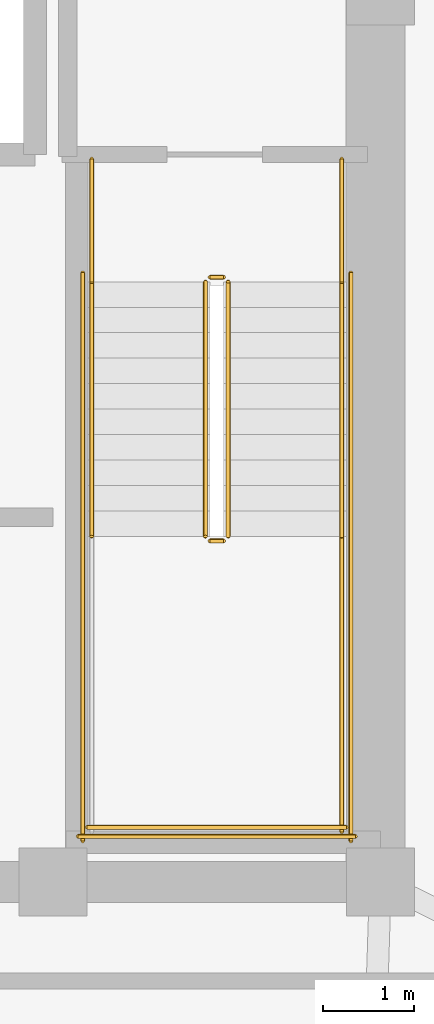
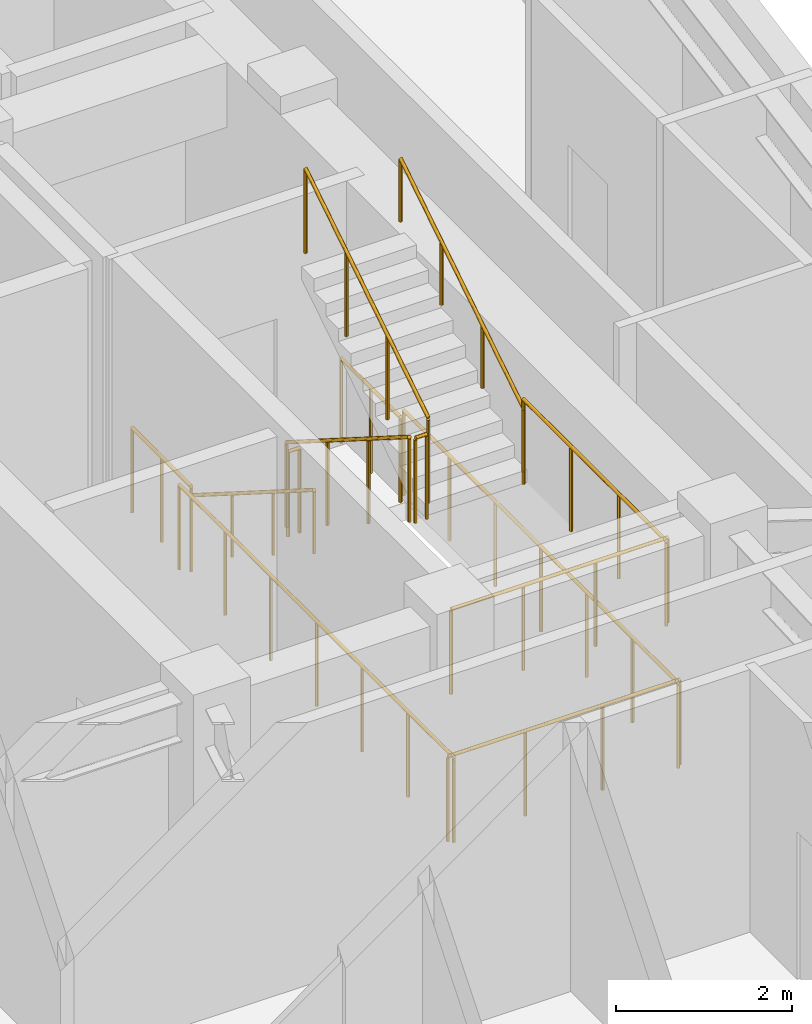
# One storey, part 11 of 11: 13 railings.
"""IFC4 building model written with IfcOpenShell, lengths in metres."""

from ifc_helpers import new_model, si_unit, direction, frame, origin, origin_2d, place, context, subcontext, project, spatial, circle, extrude, material, type_object, element, save


model = new_model("IFC4")

# Units and contexts
model_context = context("Model", 3, precision=1e-05, world=origin(), true_north=direction((0.0, 1.0)))
body_context = subcontext(model_context, "Body", "Model", "MODEL_VIEW")
ifc_project = project(units=[si_unit("LENGTHUNIT", "METRE"), si_unit("AREAUNIT", "SQUARE_METRE"), si_unit("VOLUMEUNIT", "CUBIC_METRE"), si_unit("PLANEANGLEUNIT", "RADIAN"), si_unit("MASSUNIT", "GRAM", prefix="KILO")], contexts=[model_context])

# Site, building, storey
site_placement = place(None, origin())
site = spatial("IfcSite", under=ifc_project, at=site_placement, CompositionType="ELEMENT")
building_placement = place(site_placement, origin())
building = spatial("IfcBuilding", under=site, at=building_placement, Name="Voryun Gate Residences", CompositionType="ELEMENT")
storey_placement = place(building_placement, frame((0.0, 0.0, 271.699951171875)))
storey = spatial("IfcBuildingStorey", under=building, at=storey_placement, Name="L67", CompositionType="ELEMENT", Elevation=271.699951171875)

# Railings
ifc_material_1 = material(Name="Painted steel", Category="steel")
railing_type_1 = type_object("IfcRailingType", Name="RAIL_STAIR_GUARD_1200", PredefinedType="GUARDRAIL", material=ifc_material_1)
railing_1_placement = place(storey_placement, frame((17.27490234375, -0.800048828125, 0.17724609375)))
element("IfcRailing", 1, at=railing_1_placement, inside=storey, type_object=railing_type_1, Name="L67 ST-E1 stair guard 1", PredefinedType="GUARDRAIL", context=body_context, shape_type="SweptSolid", body=[
    extrude(circle(Radius=0.02392578125, at=origin_2d()), frame((0.0, 0.0, 1.17578125), z_axis=(0.0, -0.844908973607, 0.534910110503), x_axis=(1.0, 0.0, 0.0)), (0.0, 0.0, 1.0), 3.31396484375),
    extrude(circle(Radius=0.02099609375, at=origin_2d()), origin(), (0.0, 0.0, 1.0), 1.15185546875),
    extrude(circle(Radius=0.02099609375, at=origin_2d()), frame((0.0, -0.933349609375, 0.5908203125)), (0.0, 0.0, 1.0), 1.15185546875),
    extrude(circle(Radius=0.02099609375, at=origin_2d()), frame((0.0, -1.86669921875, 1.181884765625)), (0.0, 0.0, 1.0), 1.15185546875),
    extrude(circle(Radius=0.02099609375, at=origin_2d()), frame((0.0, -2.800048828125, 1.772705078125)), (0.0, 0.0, 1.0), 1.15185546875),
])
railing_2_placement = place(storey_placement, frame((17.324951171875, -3.64990234375, 1.949951171875)))
element("IfcRailing", 2, at=railing_2_placement, inside=storey, type_object=railing_type_1, Name="L67 ST-E1 stair guard 2", PredefinedType="GUARDRAIL", context=body_context, shape_type="SweptSolid", body=[
    extrude(circle(Radius=0.02392578125, at=origin_2d()), frame((0.0, 0.0, 1.17578125), z_axis=(1.0, 0.0, 0.0), x_axis=(0.0, 1.0, 0.0)), (0.0, 0.0, 1.0), 0.150146484375),
    extrude(circle(Radius=0.02099609375, at=origin_2d()), origin(), (0.0, 0.0, 1.0), 1.15185546875),
    extrude(circle(Radius=0.02099609375, at=origin_2d()), frame((0.150146484375, 0.0, 0.0)), (0.0, 0.0, 1.0), 1.15185546875),
])
railing_3_placement = place(storey_placement, frame((18.77490234375, -3.60009765625, 1.949951171875)))
element("IfcRailing", 3, at=railing_3_placement, inside=storey, type_object=railing_type_1, Name="L67 ST-E1 stair guard 4", PredefinedType="GUARDRAIL", context=body_context, shape_type="SweptSolid", body=[
    extrude(circle(Radius=0.02392578125, at=origin_2d()), frame((0.0, 0.0, 1.17578125), z_axis=(0.0, -1.0, 0.0), x_axis=(1.0, 0.0, 0.0)), (0.0, 0.0, 1.0), 3.25),
    extrude(circle(Radius=0.02099609375, at=origin_2d()), origin(), (0.0, 0.0, 1.0), 1.15185546875),
    extrude(circle(Radius=0.02099609375, at=origin_2d()), frame((0.0, -1.083251953125, 0.0)), (0.0, 0.0, 1.0), 1.15185546875),
    extrude(circle(Radius=0.02099609375, at=origin_2d()), frame((0.0, -2.166748046875, 0.0)), (0.0, 0.0, 1.0), 1.15185546875),
    extrude(circle(Radius=0.02099609375, at=origin_2d()), frame((0.0, -3.25, 0.0)), (0.0, 0.0, 1.0), 1.15185546875),
])
railing_4_placement = place(storey_placement, frame((15.97509765625, -6.800048828125, 1.949951171875)))
element("IfcRailing", 4, at=railing_4_placement, inside=storey, type_object=railing_type_1, Name="L67 ST-E1 stair guard 5", PredefinedType="GUARDRAIL", context=body_context, shape_type="SweptSolid", body=[
    extrude(circle(Radius=0.02392578125, at=origin_2d()), frame((0.0, 0.0, 1.17578125), z_axis=(1.0, 0.0, 0.0), x_axis=(0.0, 1.0, 0.0)), (0.0, 0.0, 1.0), 2.849853515625),
    extrude(circle(Radius=0.02099609375, at=origin_2d()), origin(), (0.0, 0.0, 1.0), 1.15185546875),
    extrude(circle(Radius=0.02099609375, at=origin_2d()), frame((0.949951171875, 0.0, 0.0)), (0.0, 0.0, 1.0), 1.15185546875),
    extrude(circle(Radius=0.02099609375, at=origin_2d()), frame((1.89990234375, 0.0, 0.0)), (0.0, 0.0, 1.0), 1.15185546875),
    extrude(circle(Radius=0.02099609375, at=origin_2d()), frame((2.849853515625, 0.0, 0.0)), (0.0, 0.0, 1.0), 1.15185546875),
])
railing_5_placement = place(storey_placement, frame((17.52490234375, -3.60009765625, 2.12744140625)))
element("IfcRailing", 5, at=railing_5_placement, inside=storey, type_object=railing_type_1, Name="L67 ST-E1 stair guard 6", PredefinedType="GUARDRAIL", context=body_context, shape_type="SweptSolid", body=[
    extrude(circle(Radius=0.02392578125, at=origin_2d()), frame((0.0, 0.0, 1.17578125), z_axis=(0.0, 0.844908973607, 0.534910110503), x_axis=(-1.0, 0.0, 0.0)), (0.0, 0.0, 1.0), 3.31396484375),
    extrude(circle(Radius=0.02099609375, at=origin_2d()), origin(), (0.0, 0.0, 1.0), 1.15185546875),
    extrude(circle(Radius=0.02099609375, at=origin_2d()), frame((0.0, 0.933349609375, 0.5908203125)), (0.0, 0.0, 1.0), 1.15185546875),
    extrude(circle(Radius=0.02099609375, at=origin_2d()), frame((0.0, 1.86669921875, 1.181884765625)), (0.0, 0.0, 1.0), 1.15185546875),
    extrude(circle(Radius=0.02099609375, at=origin_2d()), frame((0.0, 2.800048828125, 1.772705078125)), (0.0, 0.0, 1.0), 1.15185546875),
])
railing_6_placement = place(storey_placement, frame((17.324951171875, -0.75, 0.0)))
element("IfcRailing", 6, at=railing_6_placement, inside=storey, type_object=railing_type_1, Name="L67 ST-E1 stair guard 7", PredefinedType="GUARDRAIL", context=body_context, shape_type="SweptSolid", body=[
    extrude(circle(Radius=0.02392578125, at=origin_2d()), frame((0.0, 0.0, 1.17578125), z_axis=(1.0, 0.0, 0.0), x_axis=(0.0, 1.0, 0.0)), (0.0, 0.0, 1.0), 0.150146484375),
    extrude(circle(Radius=0.02099609375, at=origin_2d()), origin(), (0.0, 0.0, 1.0), 1.15185546875),
    extrude(circle(Radius=0.02099609375, at=origin_2d()), frame((0.150146484375, 0.0, 0.0)), (0.0, 0.0, 1.0), 1.15185546875),
])
for number, where, name in (
    (7, (16.02490234375, 0.550048828125, 0.0), "L67 ST-E1 stair guard 8"),
    (8, (18.77490234375, 0.550048828125, 0.0), "L67 ST-E1 stair guard 9"),
):
    element("IfcRailing", number, at=place(storey_placement, frame(where)), inside=storey, type_object=railing_type_1, Name=name, PredefinedType="GUARDRAIL", context=body_context, shape_type="SweptSolid", body=[
        extrude(circle(Radius=0.02392578125, at=origin_2d()), frame((0.0, 0.0, 1.17578125), z_axis=(0.0, -1.0, 0.0), x_axis=(1.0, 0.0, 0.0)), (0.0, 0.0, 1.0), 1.35009765625),
        extrude(circle(Radius=0.02099609375, at=origin_2d()), origin(), (0.0, 0.0, 1.0), 1.15185546875),
        extrude(circle(Radius=0.02099609375, at=origin_2d()), frame((0.0, -0.675048828125, 0.0)), (0.0, 0.0, 1.0), 1.15185546875),
        extrude(circle(Radius=0.02099609375, at=origin_2d()), frame((0.0, -1.35009765625, 0.0)), (0.0, 0.0, 1.0), 1.15185546875),
    ])
for number, where, name in (
    (9, (15.925048828125, -0.699951171875, 0.0), "L67 ST-E1 stair guard 10"),
    (10, (18.875, -0.699951171875, 0.0), "L67 ST-E1 stair guard 11"),
):
    element("IfcRailing", number, at=place(storey_placement, frame(where)), inside=storey, type_object=railing_type_1, Name=name, PredefinedType="GUARDRAIL", context=body_context, shape_type="SweptSolid", body=[
        extrude(circle(Radius=0.02392578125, at=origin_2d()), frame((0.0, 0.0, 1.17578125), z_axis=(0.0, -1.0, 0.0), x_axis=(1.0, 0.0, 0.0)), (0.0, 0.0, 1.0), 6.25),
        extrude(circle(Radius=0.02099609375, at=origin_2d()), origin(), (0.0, 0.0, 1.0), 1.15185546875),
        extrude(circle(Radius=0.02099609375, at=origin_2d()), frame((0.0, -1.041748046875, 0.0)), (0.0, 0.0, 1.0), 1.15185546875),
        extrude(circle(Radius=0.02099609375, at=origin_2d()), frame((0.0, -2.083251953125, 0.0)), (0.0, 0.0, 1.0), 1.15185546875),
        extrude(circle(Radius=0.02099609375, at=origin_2d()), frame((0.0, -3.125, 0.0)), (0.0, 0.0, 1.0), 1.15185546875),
        extrude(circle(Radius=0.02099609375, at=origin_2d()), frame((0.0, -4.166748046875, 0.0)), (0.0, 0.0, 1.0), 1.15185546875),
        extrude(circle(Radius=0.02099609375, at=origin_2d()), frame((0.0, -5.208251953125, 0.0)), (0.0, 0.0, 1.0), 1.15185546875),
        extrude(circle(Radius=0.02099609375, at=origin_2d()), frame((0.0, -6.25, 0.0)), (0.0, 0.0, 1.0), 1.15185546875),
    ])
railing_7_placement = place(storey_placement, frame((15.875, -6.89990234375, 0.0)))
element("IfcRailing", 11, at=railing_7_placement, inside=storey, type_object=railing_type_1, Name="L67 ST-E1 stair guard 12", PredefinedType="GUARDRAIL", context=body_context, shape_type="SweptSolid", body=[
    extrude(circle(Radius=0.02392578125, at=origin_2d()), frame((0.0, 0.0, 1.17578125), z_axis=(1.0, 0.0, 0.0), x_axis=(0.0, 1.0, 0.0)), (0.0, 0.0, 1.0), 3.050048828125),
    extrude(circle(Radius=0.02099609375, at=origin_2d()), origin(), (0.0, 0.0, 1.0), 1.15185546875),
    extrude(circle(Radius=0.02099609375, at=origin_2d()), frame((1.0166015625, 0.0, 0.0)), (0.0, 0.0, 1.0), 1.15185546875),
    extrude(circle(Radius=0.02099609375, at=origin_2d()), frame((2.033447265625, 0.0, 0.0)), (0.0, 0.0, 1.0), 1.15185546875),
    extrude(circle(Radius=0.02099609375, at=origin_2d()), frame((3.050048828125, 0.0, 0.0)), (0.0, 0.0, 1.0), 1.15185546875),
])
ifc_material_2 = material(Name="Painted steel", Category="steel")
railing_type_2 = type_object("IfcRailingType", Name="RAIL_STAIR_HANDRAIL_900", PredefinedType="HANDRAIL", material=ifc_material_2)
railing_8_placement = place(storey_placement, frame((16.02490234375, -0.800048828125, 0.17724609375)))
element("IfcRailing", 12, at=railing_8_placement, inside=storey, type_object=railing_type_2, Name="L67 ST-E1 stair handrail 1", PredefinedType="HANDRAIL", context=body_context, shape_type="SweptSolid", body=[
    extrude(circle(Radius=0.02392578125, at=origin_2d()), frame((0.0, 0.0, 0.8759765625), z_axis=(0.0, -0.844908973607, 0.534910110503), x_axis=(1.0, 0.0, 0.0)), (0.0, 0.0, 1.0), 3.31396484375),
    extrude(circle(Radius=0.02099609375, at=origin_2d()), origin(), (0.0, 0.0, 1.0), 0.851806640625),
    extrude(circle(Radius=0.02099609375, at=origin_2d()), frame((0.0, -0.933349609375, 0.5908203125)), (0.0, 0.0, 1.0), 0.851806640625),
    extrude(circle(Radius=0.02099609375, at=origin_2d()), frame((0.0, -1.86669921875, 1.181884765625)), (0.0, 0.0, 1.0), 0.851806640625),
    extrude(circle(Radius=0.02099609375, at=origin_2d()), frame((0.0, -2.800048828125, 1.772705078125)), (0.0, 0.0, 1.0), 0.851806640625),
])
railing_9_placement = place(storey_placement, frame((18.77490234375, -3.60009765625, 2.12744140625)))
element("IfcRailing", 13, at=railing_9_placement, inside=storey, type_object=railing_type_2, Name="L67 ST-E1 stair handrail 2", PredefinedType="HANDRAIL", context=body_context, shape_type="SweptSolid", body=[
    extrude(circle(Radius=0.02392578125, at=origin_2d()), frame((0.0, 0.0, 0.8759765625), z_axis=(0.0, 0.844908973607, 0.534910110503), x_axis=(-1.0, 0.0, 0.0)), (0.0, 0.0, 1.0), 3.31396484375),
    extrude(circle(Radius=0.02099609375, at=origin_2d()), origin(), (0.0, 0.0, 1.0), 0.851806640625),
    extrude(circle(Radius=0.02099609375, at=origin_2d()), frame((0.0, 0.933349609375, 0.5908203125)), (0.0, 0.0, 1.0), 0.851806640625),
    extrude(circle(Radius=0.02099609375, at=origin_2d()), frame((0.0, 1.86669921875, 1.181884765625)), (0.0, 0.0, 1.0), 0.851806640625),
    extrude(circle(Radius=0.02099609375, at=origin_2d()), frame((0.0, 2.800048828125, 1.772705078125)), (0.0, 0.0, 1.0), 0.851806640625),
])

save(model, "model.ifc")
